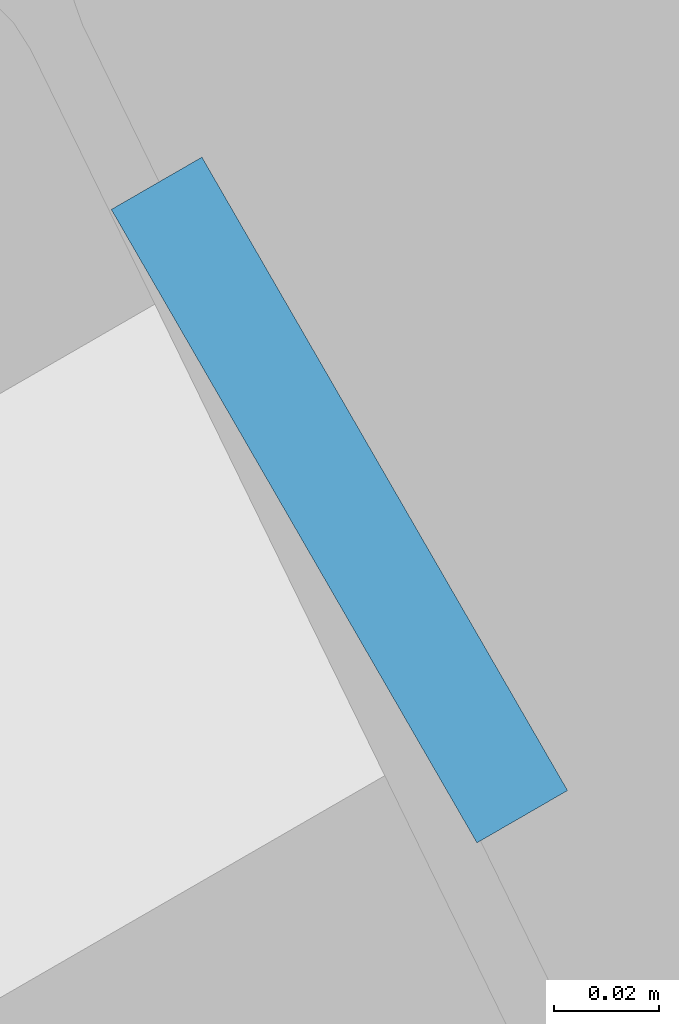
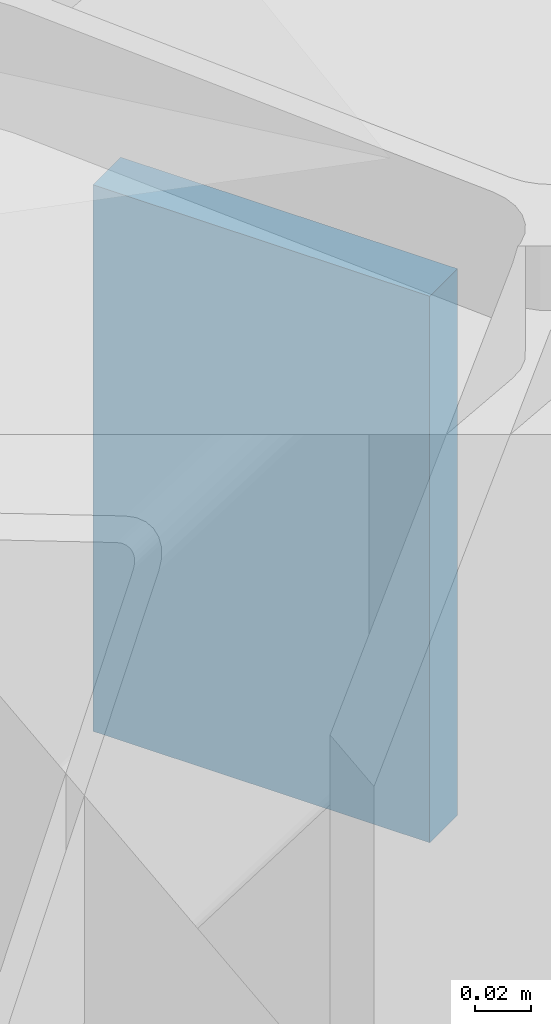
# One storey, part 17 of 25: 1 plate.
"""IFC4 building model written with IfcOpenShell, lengths in metres."""

import ifcopenshell
import ifcopenshell.guid

model = None  # the IFC model being written
_history = None  # IfcOwnerHistory: only IFC2X3 demands one
_inside = {}  # id of a spatial element -> (the spatial element, [elements in it])
_under = {}  # id of a project, library or spatial element -> (it, [spatial elements below it])
_declared = {}  # id of a project -> (the project, [libraries it declares])
_typed = {}  # id of a type object -> (the type object, [elements of that type])
_made_of = {}  # id of a material, layer set ... -> (it, [elements and type objects made of it])


def new_model(schema):
    """Start an empty IFC model of exactly this schema.

    Asked for "IFC4X3", IfcOpenShell would pick the latest addendum, in which some entities
    have other attributes; the version numbers below select the first issue.
    IFC2X3 requires an IfcOwnerHistory on every rooted entity: one is made here for all.
    """
    global model, _history
    if schema == "IFC4X3":
        model = ifcopenshell.file(schema_version=(4, 3, 0, 0))
    else:
        model = ifcopenshell.file(schema=schema)
    _inside.clear()
    _under.clear()
    _declared.clear()
    _typed.clear()
    _made_of.clear()
    _history = None
    if model.schema == "IFC2X3":
        org = make("IfcOrganization", Name="unknown")
        user = make(
            "IfcPersonAndOrganization",
            ThePerson=make("IfcPerson", FamilyName="unknown"),
            TheOrganization=org,
        )
        app = make(
            "IfcApplication",
            ApplicationDeveloper=org,
            Version="unknown",
            ApplicationFullName="unknown",
            ApplicationIdentifier="unknown",
        )
        _history = make(
            "IfcOwnerHistory",
            OwningUser=user,
            OwningApplication=app,
            ChangeAction="ADDED",
            CreationDate=0,
        )
    return model


def make(cls, **values):
    """One entity of the class cls with the attributes given. An attribute that is None is left unset."""
    return model.create_entity(
        cls, **{name: value for name, value in values.items() if value is not None}
    )


def rooted(cls, **values):
    """An entity with a GlobalId (a new one), such as an element, a storey or a relation."""
    return make(cls, GlobalId=ifcopenshell.guid.new(), OwnerHistory=_history, **values)


def si_unit(unit_type, name, prefix=None):
    """IfcSIUnit, for example si_unit("LENGTHUNIT", "METRE", prefix="MILLI")."""
    return make("IfcSIUnit", UnitType=unit_type, Prefix=prefix, Name=name)


def assignment(units):
    """IfcUnitAssignment: the units of a project."""
    return None if units is None else make("IfcUnitAssignment", Units=units)


def point(xyz):
    """IfcCartesianPoint."""
    return None if xyz is None else make("IfcCartesianPoint", Coordinates=xyz)


def direction(xyz):
    """IfcDirection."""
    return None if xyz is None else make("IfcDirection", DirectionRatios=xyz)


def frame(location, z_axis=None, x_axis=None):
    """IfcAxis2Placement3D, a coordinate frame: its origin and axes. An axis left out is left unset."""
    return make(
        "IfcAxis2Placement3D",
        Location=point(location),
        Axis=direction(z_axis),
        RefDirection=direction(x_axis),
    )


def frame_2d(location, x_axis=None):
    """IfcAxis2Placement2D, a coordinate frame in the plane: its origin and x axis."""
    return make(
        "IfcAxis2Placement2D", Location=point(location), RefDirection=direction(x_axis)
    )


def origin():
    """The frame at (0, 0, 0) with its axes left unset."""
    return frame((0.0, 0.0, 0.0))


def origin_2d():
    """The frame at (0, 0) in the plane with its x axis left unset."""
    return frame_2d((0.0, 0.0))


def place(relative_to, where):
    """IfcLocalPlacement: puts the frame where relative to a parent placement (None: the world)."""
    return make(
        "IfcLocalPlacement", PlacementRelTo=relative_to, RelativePlacement=where
    )


def context(
    kind, dimensions, precision=None, world=None, true_north=None, identifier=None
):
    """IfcGeometricRepresentationContext, for example the 3D "Model" context."""
    return make(
        "IfcGeometricRepresentationContext",
        ContextIdentifier=identifier,
        ContextType=kind,
        CoordinateSpaceDimension=dimensions,
        Precision=precision,
        WorldCoordinateSystem=world,
        TrueNorth=true_north,
    )


def subcontext(parent, identifier, kind, view, scale=None):
    """IfcGeometricRepresentationSubContext, for example "Body" below "Model"."""
    return make(
        "IfcGeometricRepresentationSubContext",
        ContextIdentifier=identifier,
        ContextType=kind,
        ParentContext=parent,
        TargetScale=scale,
        TargetView=view,
    )


def project(units=None, contexts=None):
    """IfcProject with its units and contexts."""
    return rooted(
        "IfcProject",
        Name="project",
        RepresentationContexts=contexts,
        UnitsInContext=assignment(units),
    )


def spatial(cls, under=None, at=None, **own):
    """A site, building, storey or space (cls), placed at a placement, below another one or the project."""
    s = rooted(cls, ObjectPlacement=at, **own)
    if under is not None:
        _under.setdefault(under.id(), (under, []))[1].append(s)
    return s


def profile(cls, at=None, kind="AREA", **sizes):
    """A parametric profile (cls). Its sizes go by their IFC names, for example OverallWidth=200.0."""
    return make(cls, ProfileType=kind, Position=at, **sizes)


def rectangle(**sizes):
    """IfcRectangleProfileDef."""
    return profile("IfcRectangleProfileDef", **sizes)


def extrude(swept, where, along, depth):
    """IfcExtrudedAreaSolid: the profile swept, set in the frame where, extruded along a direction by depth."""
    return make(
        "IfcExtrudedAreaSolid",
        SweptArea=swept,
        Position=where,
        ExtrudedDirection=direction(along),
        Depth=depth,
    )


def shape(context_of_items, identifier, shape_type, items):
    """IfcShapeRepresentation: the items that make up one representation, for example the "Body"."""
    return make(
        "IfcShapeRepresentation",
        ContextOfItems=context_of_items,
        RepresentationIdentifier=identifier,
        RepresentationType=shape_type,
        Items=items,
    )


def material(Name=None, Category=None):
    """IfcMaterial."""
    return make("IfcMaterial", Name=Name, Category=Category)


def layer(
    of_material, thickness, ventilated=None, Name=None, Category=None, Priority=None
):
    """IfcMaterialLayer: one layer of a wall or slab, of a material (None: an air gap)."""
    return make(
        "IfcMaterialLayer",
        Material=of_material,
        LayerThickness=thickness,
        IsVentilated=ventilated,
        Name=Name,
        Category=Category,
        Priority=Priority,
    )


def layer_set(layers, Name=None):
    """IfcMaterialLayerSet."""
    return make("IfcMaterialLayerSet", MaterialLayers=layers, LayerSetName=Name)


def made_of(thing, what):
    """Note that an element or type object is made of a material, layer set ...; save() writes the relation."""
    if what is not None:
        _made_of.setdefault(what.id(), (what, []))[1].append(thing)
    return thing


def type_object(cls, material=None, **own):
    """A type object (cls), such as IfcWallType, which elements share."""
    return made_of(rooted(cls, **own), material)


def element(
    cls,
    number,
    at=None,
    inside=None,
    cuts=None,
    type_object=None,
    material=None,
    context=None,
    identifier="Body",
    shape_type=None,
    held_by="IfcProductDefinitionShape",
    body=None,
    shapes=None,
    **own,
):
    """One element of the class cls, such as IfcWall. Its Tag is "e" and its number.

    at: its placement. inside: the storey or other place that contains it. cuts: it is an
    opening in that element (IfcRelVoidsElement). A single representation is given by context,
    identifier, shape_type and body (its items); several are given by shapes. held_by: the class
    of the entity that holds the representations. save() writes the other relations.
    """
    e = rooted(cls, Tag="e%d" % number, ObjectPlacement=at, **own)
    if body is not None:
        shapes = [shape(context, identifier, shape_type, body)]
    if shapes is not None:
        e.Representation = make(held_by, Representations=shapes)
    if inside is not None:
        _inside.setdefault(inside.id(), (inside, []))[1].append(e)
    if cuts is not None:
        rooted(
            "IfcRelVoidsElement", RelatingBuildingElement=cuts, RelatedOpeningElement=e
        )
    if type_object is not None:
        _typed.setdefault(type_object.id(), (type_object, []))[1].append(e)
    return made_of(e, material)


def aggregate(whole, parts):
    """IfcRelAggregates: a whole, such as a stair, and the parts it consists of."""
    return rooted("IfcRelAggregates", RelatingObject=whole, RelatedObjects=parts)


def save(model, path):
    """Write the relations noted so far, then the file.

    IfcRelAggregates (storeys below a building ...), IfcRelContainedInSpatialStructure (elements
    in a storey), IfcRelDefinesByType, IfcRelAssociatesMaterial and IfcRelDeclares: one each for
    every whole, place, type object, material and project.
    """
    for whole, parts in _under.values():
        aggregate(whole, parts)
    for where, things in _inside.values():
        rooted(
            "IfcRelContainedInSpatialStructure",
            RelatedElements=things,
            RelatingStructure=where,
        )
    for kind, things in _typed.values():
        rooted("IfcRelDefinesByType", RelatedObjects=things, RelatingType=kind)
    for what, things in _made_of.values():
        rooted("IfcRelAssociatesMaterial", RelatedObjects=things, RelatingMaterial=what)
    for by, libraries in _declared.values():
        rooted("IfcRelDeclares", RelatingContext=by, RelatedDefinitions=libraries)
    model.write(path)


model = new_model("IFC4")

# Units and contexts
model_context = context("Model", 3, precision=1e-05, world=origin(), true_north=direction((0.0, 1.0)))
body_context = subcontext(model_context, "Body", "Model", "MODEL_VIEW")
ifc_project = project(units=[si_unit("LENGTHUNIT", "METRE"), si_unit("AREAUNIT", "SQUARE_METRE"), si_unit("VOLUMEUNIT", "CUBIC_METRE"), si_unit("PLANEANGLEUNIT", "RADIAN"), si_unit("MASSUNIT", "GRAM", prefix="KILO"), si_unit("THERMODYNAMICTEMPERATUREUNIT", "KELVIN"), si_unit("POWERUNIT", "WATT")], contexts=[model_context])

# Site, building, storey
site_placement = place(None, origin())
site = spatial("IfcSite", under=ifc_project, at=site_placement, CompositionType="ELEMENT")
building_placement = place(site_placement, origin())
building = spatial("IfcBuilding", under=site, at=building_placement, Name="Solvatero Civic Police Headquarters", CompositionType="ELEMENT")
storey_placement = place(building_placement, frame((0.0, 0.0, 25.5)))
storey = spatial("IfcBuildingStorey", under=building, at=storey_placement, Name="L06", CompositionType="ELEMENT", Elevation=25.5)

# Plate
ifc_material = material(Name="Steel S355", Category="steel")
ifc_layer = layer(ifc_material, 0.02001953125)
ifc_layer_set = layer_set([ifc_layer], Name="Steel S355")
plate_type = type_object("IfcPlateType", Name="PLT-CAP-20", PredefinedType="SHEET", material=ifc_layer_set)
plate_placement = place(storey_placement, frame((68.298095703125, 78.71923828125, 3.39990234375), z_axis=(0.0, 0.0, 1.0), x_axis=(-0.866025403784, -0.5, 0.0)))
element("IfcPlate", 1, at=plate_placement, inside=storey, type_object=plate_type, Name="Hollow Section End Cap Plate 0199", PredefinedType="SHEET", context=body_context, shape_type="SweptSolid", body=[
    extrude(rectangle(XDim=0.02001953125, YDim=0.139892578125, at=origin_2d()), origin(), (0.0, 0.0, 1.0), 0.239990234375),
])

save(model, "model.ifc")
